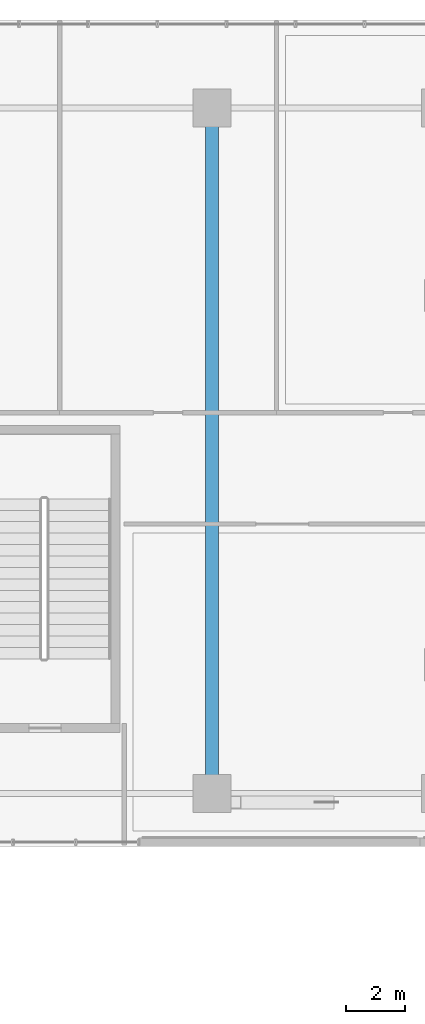
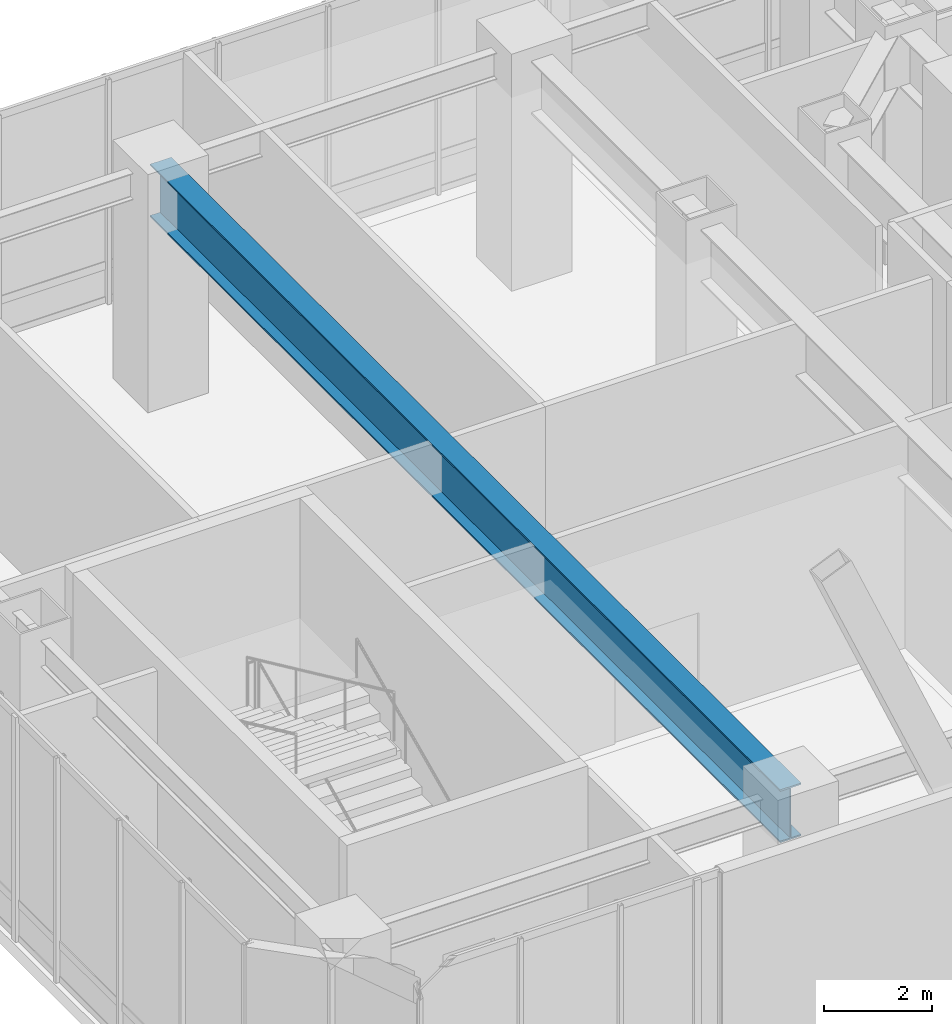
# One storey, part 13 of 35: 1 beam.
"""IFC4 building model written with IfcOpenShell, lengths in metres."""

from ifc_helpers import new_model, si_unit, direction, frame, origin, origin_2d, place, context, subcontext, project, spatial, i_section, extrude, material, material_profile, profile_set, type_object, element, save


model = new_model("IFC4")

# Units and contexts
model_context = context("Model", 3, precision=1e-05, world=origin(), true_north=direction((0.0, 1.0)))
body_context = subcontext(model_context, "Body", "Model", "MODEL_VIEW")
ifc_project = project(units=[si_unit("LENGTHUNIT", "METRE"), si_unit("AREAUNIT", "SQUARE_METRE"), si_unit("VOLUMEUNIT", "CUBIC_METRE"), si_unit("PLANEANGLEUNIT", "RADIAN"), si_unit("MASSUNIT", "GRAM", prefix="KILO")], contexts=[model_context])

# Site, building, storey
site_placement = place(None, origin())
site = spatial("IfcSite", under=ifc_project, at=site_placement, CompositionType="ELEMENT")
building_placement = place(site_placement, origin())
building = spatial("IfcBuilding", under=site, at=building_placement, Name="Hatsunagi Terrace Concourse", CompositionType="ELEMENT")
storey_placement = place(building_placement, frame((0.0, 0.0, 10.800048828125)))
storey = spatial("IfcBuildingStorey", under=building, at=storey_placement, Name="L03", CompositionType="ELEMENT", Elevation=10.800048828125)

# Beam
ifc_material = material(Name="Steel SN490B", Category="steel")
ifc_material_profile = material_profile(ifc_material, i_section(OverallWidth=0.449951171875, OverallDepth=1.199951171875, WebThickness=0.02490234375, FlangeThickness=0.035888671875, at=origin_2d()), Name="BH-1200x450x25x36")
ifc_profile_set = profile_set([ifc_material_profile], Name="Steel SN490B")
beam_type = type_object("IfcBeamType", Name="PodiumHallGirder_BH_1200x450x25x36", PredefinedType="BEAM", material=ifc_profile_set)
beam_placement = place(storey_placement, frame((11.39990234375, 25.199951171875, 4.5), z_axis=(0.0, 1.0, 0.0), x_axis=(-1.0, 0.0, 0.0)))
element("IfcBeam", 1, at=beam_placement, inside=storey, type_object=beam_type, Name="Beam G-01 BM-L03-NS-11-25", PredefinedType="BEAM", context=body_context, shape_type="SweptSolid", body=[
    extrude(i_section(OverallWidth=0.449951171875, OverallDepth=1.199951171875, WebThickness=0.02490234375, FlangeThickness=0.035888671875, at=origin_2d()), origin(), (0.0, 0.0, 1.0), 23.400146484375),
])

save(model, "model.ifc")
